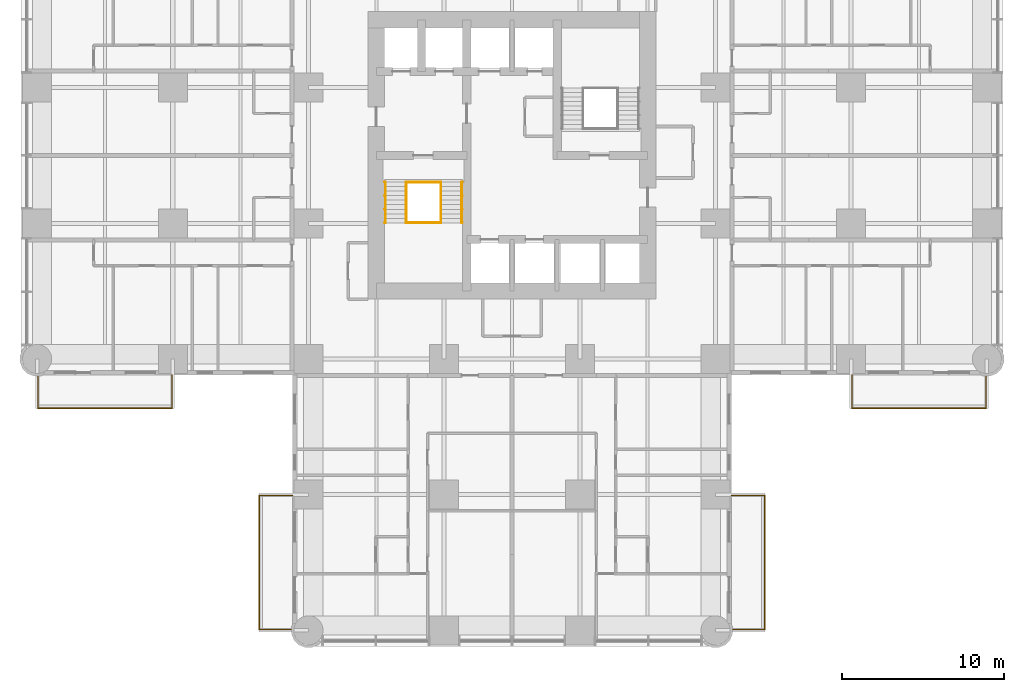
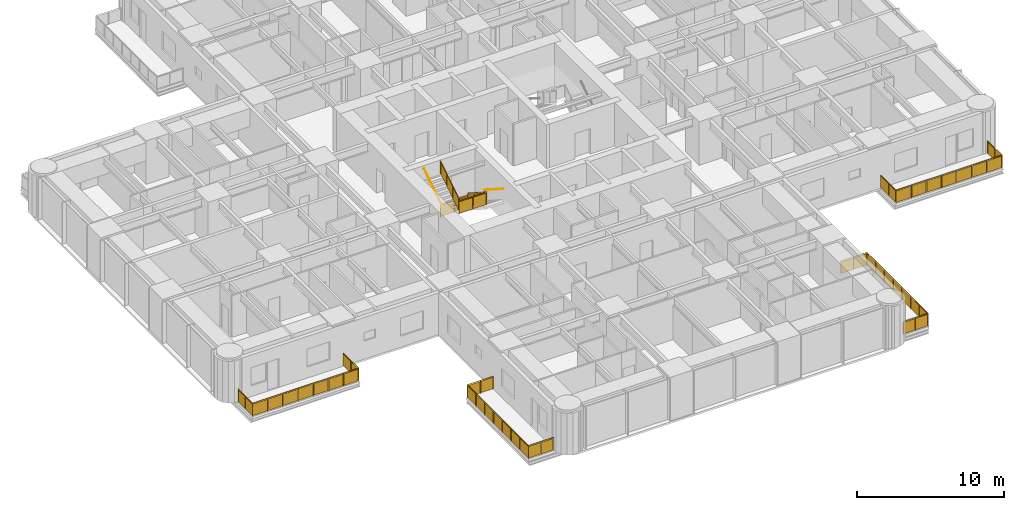
# One storey, part 16 of 17: 10 railings.
"""IFC4 building model written with IfcOpenShell, lengths in metres."""

import ifcopenshell
import ifcopenshell.guid

model = None  # the IFC model being written
_history = None  # IfcOwnerHistory: only IFC2X3 demands one
_inside = {}  # id of a spatial element -> (the spatial element, [elements in it])
_under = {}  # id of a project, library or spatial element -> (it, [spatial elements below it])
_declared = {}  # id of a project -> (the project, [libraries it declares])
_typed = {}  # id of a type object -> (the type object, [elements of that type])
_made_of = {}  # id of a material, layer set ... -> (it, [elements and type objects made of it])


def new_model(schema):
    """Start an empty IFC model of exactly this schema.

    Asked for "IFC4X3", IfcOpenShell would pick the latest addendum, in which some entities
    have other attributes; the version numbers below select the first issue.
    IFC2X3 requires an IfcOwnerHistory on every rooted entity: one is made here for all.
    """
    global model, _history
    if schema == "IFC4X3":
        model = ifcopenshell.file(schema_version=(4, 3, 0, 0))
    else:
        model = ifcopenshell.file(schema=schema)
    _inside.clear()
    _under.clear()
    _declared.clear()
    _typed.clear()
    _made_of.clear()
    _history = None
    if model.schema == "IFC2X3":
        org = make("IfcOrganization", Name="unknown")
        user = make(
            "IfcPersonAndOrganization",
            ThePerson=make("IfcPerson", FamilyName="unknown"),
            TheOrganization=org,
        )
        app = make(
            "IfcApplication",
            ApplicationDeveloper=org,
            Version="unknown",
            ApplicationFullName="unknown",
            ApplicationIdentifier="unknown",
        )
        _history = make(
            "IfcOwnerHistory",
            OwningUser=user,
            OwningApplication=app,
            ChangeAction="ADDED",
            CreationDate=0,
        )
    return model


def make(cls, **values):
    """One entity of the class cls with the attributes given. An attribute that is None is left unset."""
    return model.create_entity(
        cls, **{name: value for name, value in values.items() if value is not None}
    )


def rooted(cls, **values):
    """An entity with a GlobalId (a new one), such as an element, a storey or a relation."""
    return make(cls, GlobalId=ifcopenshell.guid.new(), OwnerHistory=_history, **values)


def si_unit(unit_type, name, prefix=None):
    """IfcSIUnit, for example si_unit("LENGTHUNIT", "METRE", prefix="MILLI")."""
    return make("IfcSIUnit", UnitType=unit_type, Prefix=prefix, Name=name)


def assignment(units):
    """IfcUnitAssignment: the units of a project."""
    return None if units is None else make("IfcUnitAssignment", Units=units)


def point(xyz):
    """IfcCartesianPoint."""
    return None if xyz is None else make("IfcCartesianPoint", Coordinates=xyz)


def direction(xyz):
    """IfcDirection."""
    return None if xyz is None else make("IfcDirection", DirectionRatios=xyz)


def frame(location, z_axis=None, x_axis=None):
    """IfcAxis2Placement3D, a coordinate frame: its origin and axes. An axis left out is left unset."""
    return make(
        "IfcAxis2Placement3D",
        Location=point(location),
        Axis=direction(z_axis),
        RefDirection=direction(x_axis),
    )


def frame_2d(location, x_axis=None):
    """IfcAxis2Placement2D, a coordinate frame in the plane: its origin and x axis."""
    return make(
        "IfcAxis2Placement2D", Location=point(location), RefDirection=direction(x_axis)
    )


def origin():
    """The frame at (0, 0, 0) with its axes left unset."""
    return frame((0.0, 0.0, 0.0))


def origin_2d():
    """The frame at (0, 0) in the plane with its x axis left unset."""
    return frame_2d((0.0, 0.0))


def place(relative_to, where):
    """IfcLocalPlacement: puts the frame where relative to a parent placement (None: the world)."""
    return make(
        "IfcLocalPlacement", PlacementRelTo=relative_to, RelativePlacement=where
    )


def context(
    kind, dimensions, precision=None, world=None, true_north=None, identifier=None
):
    """IfcGeometricRepresentationContext, for example the 3D "Model" context."""
    return make(
        "IfcGeometricRepresentationContext",
        ContextIdentifier=identifier,
        ContextType=kind,
        CoordinateSpaceDimension=dimensions,
        Precision=precision,
        WorldCoordinateSystem=world,
        TrueNorth=true_north,
    )


def subcontext(parent, identifier, kind, view, scale=None):
    """IfcGeometricRepresentationSubContext, for example "Body" below "Model"."""
    return make(
        "IfcGeometricRepresentationSubContext",
        ContextIdentifier=identifier,
        ContextType=kind,
        ParentContext=parent,
        TargetScale=scale,
        TargetView=view,
    )


def project(units=None, contexts=None):
    """IfcProject with its units and contexts."""
    return rooted(
        "IfcProject",
        Name="project",
        RepresentationContexts=contexts,
        UnitsInContext=assignment(units),
    )


def spatial(cls, under=None, at=None, **own):
    """A site, building, storey or space (cls), placed at a placement, below another one or the project."""
    s = rooted(cls, ObjectPlacement=at, **own)
    if under is not None:
        _under.setdefault(under.id(), (under, []))[1].append(s)
    return s


def polyline(points):
    """IfcPolyline through the points."""
    return make("IfcPolyline", Points=[point(p) for p in points])


def profile(cls, at=None, kind="AREA", **sizes):
    """A parametric profile (cls). Its sizes go by their IFC names, for example OverallWidth=200.0."""
    return make(cls, ProfileType=kind, Position=at, **sizes)


def circle(**sizes):
    """IfcCircleProfileDef."""
    return profile("IfcCircleProfileDef", **sizes)


def outline(outer, holes=None, kind="AREA"):
    """IfcArbitraryClosedProfileDef: a profile drawn as a closed curve; with holes, ...WithVoids."""
    if holes is None:
        return make("IfcArbitraryClosedProfileDef", ProfileType=kind, OuterCurve=outer)
    return make(
        "IfcArbitraryProfileDefWithVoids",
        ProfileType=kind,
        OuterCurve=outer,
        InnerCurves=holes,
    )


def extrude(swept, where, along, depth):
    """IfcExtrudedAreaSolid: the profile swept, set in the frame where, extruded along a direction by depth."""
    return make(
        "IfcExtrudedAreaSolid",
        SweptArea=swept,
        Position=where,
        ExtrudedDirection=direction(along),
        Depth=depth,
    )


def shape(context_of_items, identifier, shape_type, items):
    """IfcShapeRepresentation: the items that make up one representation, for example the "Body"."""
    return make(
        "IfcShapeRepresentation",
        ContextOfItems=context_of_items,
        RepresentationIdentifier=identifier,
        RepresentationType=shape_type,
        Items=items,
    )


def material(Name=None, Category=None):
    """IfcMaterial."""
    return make("IfcMaterial", Name=Name, Category=Category)


def constituent(of_material, Name=None, Category=None, fraction=None):
    """IfcMaterialConstituent: one of the materials an element consists of."""
    return make(
        "IfcMaterialConstituent",
        Name=Name,
        Material=of_material,
        Fraction=fraction,
        Category=Category,
    )


def constituent_set(constituents=None, Name=None):
    """IfcMaterialConstituentSet."""
    return make(
        "IfcMaterialConstituentSet", Name=Name, MaterialConstituents=constituents
    )


def made_of(thing, what):
    """Note that an element or type object is made of a material, layer set ...; save() writes the relation."""
    if what is not None:
        _made_of.setdefault(what.id(), (what, []))[1].append(thing)
    return thing


def type_object(cls, material=None, **own):
    """A type object (cls), such as IfcWallType, which elements share."""
    return made_of(rooted(cls, **own), material)


def element(
    cls,
    number,
    at=None,
    inside=None,
    cuts=None,
    type_object=None,
    material=None,
    context=None,
    identifier="Body",
    shape_type=None,
    held_by="IfcProductDefinitionShape",
    body=None,
    shapes=None,
    **own,
):
    """One element of the class cls, such as IfcWall. Its Tag is "e" and its number.

    at: its placement. inside: the storey or other place that contains it. cuts: it is an
    opening in that element (IfcRelVoidsElement). A single representation is given by context,
    identifier, shape_type and body (its items); several are given by shapes. held_by: the class
    of the entity that holds the representations. save() writes the other relations.
    """
    e = rooted(cls, Tag="e%d" % number, ObjectPlacement=at, **own)
    if body is not None:
        shapes = [shape(context, identifier, shape_type, body)]
    if shapes is not None:
        e.Representation = make(held_by, Representations=shapes)
    if inside is not None:
        _inside.setdefault(inside.id(), (inside, []))[1].append(e)
    if cuts is not None:
        rooted(
            "IfcRelVoidsElement", RelatingBuildingElement=cuts, RelatedOpeningElement=e
        )
    if type_object is not None:
        _typed.setdefault(type_object.id(), (type_object, []))[1].append(e)
    return made_of(e, material)


def aggregate(whole, parts):
    """IfcRelAggregates: a whole, such as a stair, and the parts it consists of."""
    return rooted("IfcRelAggregates", RelatingObject=whole, RelatedObjects=parts)


def save(model, path):
    """Write the relations noted so far, then the file.

    IfcRelAggregates (storeys below a building ...), IfcRelContainedInSpatialStructure (elements
    in a storey), IfcRelDefinesByType, IfcRelAssociatesMaterial and IfcRelDeclares: one each for
    every whole, place, type object, material and project.
    """
    for whole, parts in _under.values():
        aggregate(whole, parts)
    for where, things in _inside.values():
        rooted(
            "IfcRelContainedInSpatialStructure",
            RelatedElements=things,
            RelatingStructure=where,
        )
    for kind, things in _typed.values():
        rooted("IfcRelDefinesByType", RelatedObjects=things, RelatingType=kind)
    for what, things in _made_of.values():
        rooted("IfcRelAssociatesMaterial", RelatedObjects=things, RelatingMaterial=what)
    for by, libraries in _declared.values():
        rooted("IfcRelDeclares", RelatingContext=by, RelatedDefinitions=libraries)
    model.write(path)


model = new_model("IFC4")

# Units and contexts
model_context = context("Model", 3, precision=1e-05, world=origin(), true_north=direction((0.0, 1.0)))
body_context = subcontext(model_context, "Body", "Model", "MODEL_VIEW")
ifc_project = project(units=[si_unit("LENGTHUNIT", "METRE"), si_unit("AREAUNIT", "SQUARE_METRE"), si_unit("VOLUMEUNIT", "CUBIC_METRE"), si_unit("PLANEANGLEUNIT", "RADIAN"), si_unit("MASSUNIT", "GRAM", prefix="KILO")], contexts=[model_context])

# Site, building, storey
site_placement = place(None, origin())
site = spatial("IfcSite", under=ifc_project, at=site_placement, CompositionType="ELEMENT")
building_placement = place(site_placement, origin())
building = spatial("IfcBuilding", under=site, at=building_placement, Name="Torre Alcanfor", CompositionType="ELEMENT")
storey_placement = place(building_placement, frame((0.0, 0.0, 88.5)))
storey = spatial("IfcBuildingStorey", under=building, at=storey_placement, Name="L22", CompositionType="ELEMENT", Elevation=88.5)

# Railings
ifc_material_1 = material(Name="Laminated safety glass", Category="glass")
ifc_constituent_1 = constituent(ifc_material_1, Name="Infill")
ifc_material_2 = material(Name="Stainless steel ASTM A554 Grade MT 316L tube", Category="steel")
ifc_constituent_2 = constituent(ifc_material_2, Name="Posts and rail")
ifc_constituent_set = constituent_set(constituents=[ifc_constituent_1, ifc_constituent_2], Name="Balcony guard glass 1100")
railing_type_1 = type_object("IfcRailingType", Name="Balcony guard glass 1100", PredefinedType="BALUSTRADE", material=ifc_constituent_set)
railing_1_placement = place(storey_placement, frame((50.449951171875, 15.800048828125, 0.0)))
element("IfcRailing", 1, at=railing_1_placement, inside=storey, type_object=railing_type_1, Name="Balcony guard L22-E2", PredefinedType="BALUSTRADE", context=body_context, shape_type="SweptSolid", body=[
    extrude(circle(Radius=0.02392578125, at=origin_2d()), frame((0.0, 0.0, 1.076171875), z_axis=(0.0, -1.0, 0.0), x_axis=(1.0, 0.0, 0.0)), (0.0, 0.0, 1.0), 2.050048828125),
    extrude(circle(Radius=0.02392578125, at=origin_2d()), frame((0.0, -2.050048828125, 1.076171875), z_axis=(1.0, 0.0, 0.0), x_axis=(0.0, 1.0, 0.0)), (0.0, 0.0, 1.0), 8.300048828125),
    extrude(circle(Radius=0.02392578125, at=origin_2d()), frame((8.300048828125, -2.050048828125, 1.076171875), z_axis=(0.0, 1.0, 0.0), x_axis=(-1.0, 0.0, 0.0)), (0.0, 0.0, 1.0), 1.968994140625),
    extrude(circle(Radius=0.02099609375, at=origin_2d()), origin(), (0.0, 0.0, 1.0), 1.052001953125),
    extrude(circle(Radius=0.02099609375, at=origin_2d()), frame((0.0, -1.02490234375, 0.0)), (0.0, 0.0, 1.0), 1.052001953125),
    extrude(circle(Radius=0.02099609375, at=origin_2d()), frame((0.0, -2.050048828125, 0.0)), (0.0, 0.0, 1.0), 1.052001953125),
    extrude(circle(Radius=0.02099609375, at=origin_2d()), frame((1.185791015625, -2.050048828125, 0.0)), (0.0, 0.0, 1.0), 1.052001953125),
    extrude(circle(Radius=0.02099609375, at=origin_2d()), frame((2.371337890625, -2.050048828125, 0.0)), (0.0, 0.0, 1.0), 1.052001953125),
    extrude(circle(Radius=0.02099609375, at=origin_2d()), frame((3.55712890625, -2.050048828125, 0.0)), (0.0, 0.0, 1.0), 1.052001953125),
    extrude(circle(Radius=0.02099609375, at=origin_2d()), frame((4.742919921875, -2.050048828125, 0.0)), (0.0, 0.0, 1.0), 1.052001953125),
    extrude(circle(Radius=0.02099609375, at=origin_2d()), frame((5.9287109375, -2.050048828125, 0.0)), (0.0, 0.0, 1.0), 1.052001953125),
    extrude(circle(Radius=0.02099609375, at=origin_2d()), frame((7.1142578125, -2.050048828125, 0.0)), (0.0, 0.0, 1.0), 1.052001953125),
    extrude(circle(Radius=0.02099609375, at=origin_2d()), frame((8.300048828125, -2.050048828125, 0.0)), (0.0, 0.0, 1.0), 1.052001953125),
    extrude(circle(Radius=0.02099609375, at=origin_2d()), frame((8.300048828125, -1.0654296875, 0.0)), (0.0, 0.0, 1.0), 1.052001953125),
    extrude(circle(Radius=0.02099609375, at=origin_2d()), frame((8.300048828125, -0.0810546875, 0.0)), (0.0, 0.0, 1.0), 1.052001953125),
    extrude(outline(polyline([(0.041015625, 0.050048828125), (0.984130859375, 0.050048828125), (0.984130859375, 1.001953125), (0.041015625, 1.001953125), (0.041015625, 0.050048828125)])), frame((0.005859375, 0.0, 0.0), z_axis=(-1.0, 0.0, 0.0), x_axis=(0.0, -1.0, 0.0)), (0.0, 0.0, 1.0), 0.011962890625),
    extrude(outline(polyline([(1.06591796875, 0.050048828125), (2.009033203125, 0.050048828125), (2.009033203125, 1.001953125), (1.06591796875, 1.001953125), (1.06591796875, 0.050048828125)])), frame((0.005859375, 0.0, 0.0), z_axis=(-1.0, 0.0, 0.0), x_axis=(0.0, -1.0, 0.0)), (0.0, 0.0, 1.0), 0.011962890625),
    extrude(outline(polyline([(0.041015625, 0.050048828125), (1.144775390625, 0.050048828125), (1.144775390625, 1.001953125), (0.041015625, 1.001953125), (0.041015625, 0.050048828125)])), frame((0.0, -2.0439453125, 0.0), z_axis=(0.0, -1.0, 0.0), x_axis=(1.0, 0.0, 0.0)), (0.0, 0.0, 1.0), 0.011962890625),
    extrude(outline(polyline([(1.226806640625, 0.050048828125), (2.330322265625, 0.050048828125), (2.330322265625, 1.001953125), (1.226806640625, 1.001953125), (1.226806640625, 0.050048828125)])), frame((0.0, -2.0439453125, 0.0), z_axis=(0.0, -1.0, 0.0), x_axis=(1.0, 0.0, 0.0)), (0.0, 0.0, 1.0), 0.011962890625),
    extrude(outline(polyline([(2.412353515625, 0.050048828125), (3.51611328125, 0.050048828125), (3.51611328125, 1.001953125), (2.412353515625, 1.001953125), (2.412353515625, 0.050048828125)])), frame((0.0, -2.0439453125, 0.0), z_axis=(0.0, -1.0, 0.0), x_axis=(1.0, 0.0, 0.0)), (0.0, 0.0, 1.0), 0.011962890625),
    extrude(outline(polyline([(3.59814453125, 0.050048828125), (4.701904296875, 0.050048828125), (4.701904296875, 1.001953125), (3.59814453125, 1.001953125), (3.59814453125, 0.050048828125)])), frame((0.0, -2.0439453125, 0.0), z_axis=(0.0, -1.0, 0.0), x_axis=(1.0, 0.0, 0.0)), (0.0, 0.0, 1.0), 0.011962890625),
    extrude(outline(polyline([(4.783935546875, 0.050048828125), (5.8876953125, 0.050048828125), (5.8876953125, 1.001953125), (4.783935546875, 1.001953125), (4.783935546875, 0.050048828125)])), frame((0.0, -2.0439453125, 0.0), z_axis=(0.0, -1.0, 0.0), x_axis=(1.0, 0.0, 0.0)), (0.0, 0.0, 1.0), 0.011962890625),
    extrude(outline(polyline([(5.9697265625, 0.050048828125), (7.0732421875, 0.050048828125), (7.0732421875, 1.001953125), (5.9697265625, 1.001953125), (5.9697265625, 0.050048828125)])), frame((0.0, -2.0439453125, 0.0), z_axis=(0.0, -1.0, 0.0), x_axis=(1.0, 0.0, 0.0)), (0.0, 0.0, 1.0), 0.011962890625),
    extrude(outline(polyline([(7.1552734375, 0.050048828125), (8.259033203125, 0.050048828125), (8.259033203125, 1.001953125), (7.1552734375, 1.001953125), (7.1552734375, 0.050048828125)])), frame((0.0, -2.0439453125, 0.0), z_axis=(0.0, -1.0, 0.0), x_axis=(1.0, 0.0, 0.0)), (0.0, 0.0, 1.0), 0.011962890625),
    extrude(outline(polyline([(0.041015625, 0.050048828125), (0.943603515625, 0.050048828125), (0.943603515625, 1.001953125), (0.041015625, 1.001953125), (0.041015625, 0.050048828125)])), frame((8.2939453125, -2.050048828125, 0.0), z_axis=(1.0, 0.0, 0.0), x_axis=(0.0, 1.0, 0.0)), (0.0, 0.0, 1.0), 0.011962890625),
    extrude(outline(polyline([(1.025390625, 0.050048828125), (1.927978515625, 0.050048828125), (1.927978515625, 1.001953125), (1.025390625, 1.001953125), (1.025390625, 0.050048828125)])), frame((8.2939453125, -2.050048828125, 0.0), z_axis=(1.0, 0.0, 0.0), x_axis=(0.0, 1.0, 0.0)), (0.0, 0.0, 1.0), 0.011962890625),
])
railing_2_placement = place(storey_placement, frame((43.0, 8.35009765625, 0.0)))
element("IfcRailing", 2, at=railing_2_placement, inside=storey, type_object=railing_type_1, Name="Balcony guard L22-S1", PredefinedType="BALUSTRADE", context=body_context, shape_type="SweptSolid", body=[
    extrude(circle(Radius=0.02392578125, at=origin_2d()), frame((0.0, 0.0, 1.076171875), z_axis=(1.0, 0.0, 0.0), x_axis=(0.0, 1.0, 0.0)), (0.0, 0.0, 1.0), 2.050048828125),
    extrude(circle(Radius=0.02392578125, at=origin_2d()), frame((2.050048828125, 0.0, 1.076171875), z_axis=(0.0, -1.0, 0.0), x_axis=(1.0, 0.0, 0.0)), (0.0, 0.0, 1.0), 8.300048828125),
    extrude(circle(Radius=0.02392578125, at=origin_2d()), frame((2.050048828125, -8.300048828125, 1.076171875), z_axis=(-1.0, 0.0, 0.0), x_axis=(0.0, -1.0, 0.0)), (0.0, 0.0, 1.0), 1.968994140625),
    extrude(circle(Radius=0.02099609375, at=origin_2d()), origin(), (0.0, 0.0, 1.0), 1.052001953125),
    extrude(circle(Radius=0.02099609375, at=origin_2d()), frame((1.02490234375, 0.0, 0.0)), (0.0, 0.0, 1.0), 1.052001953125),
    extrude(circle(Radius=0.02099609375, at=origin_2d()), frame((2.050048828125, 0.0, 0.0)), (0.0, 0.0, 1.0), 1.052001953125),
    extrude(circle(Radius=0.02099609375, at=origin_2d()), frame((2.050048828125, -1.185791015625, 0.0)), (0.0, 0.0, 1.0), 1.052001953125),
    extrude(circle(Radius=0.02099609375, at=origin_2d()), frame((2.050048828125, -2.371337890625, 0.0)), (0.0, 0.0, 1.0), 1.052001953125),
    extrude(circle(Radius=0.02099609375, at=origin_2d()), frame((2.050048828125, -3.55712890625, 0.0)), (0.0, 0.0, 1.0), 1.052001953125),
    extrude(circle(Radius=0.02099609375, at=origin_2d()), frame((2.050048828125, -4.742919921875, 0.0)), (0.0, 0.0, 1.0), 1.052001953125),
    extrude(circle(Radius=0.02099609375, at=origin_2d()), frame((2.050048828125, -5.9287109375, 0.0)), (0.0, 0.0, 1.0), 1.052001953125),
    extrude(circle(Radius=0.02099609375, at=origin_2d()), frame((2.050048828125, -7.1142578125, 0.0)), (0.0, 0.0, 1.0), 1.052001953125),
    extrude(circle(Radius=0.02099609375, at=origin_2d()), frame((2.050048828125, -8.300048828125, 0.0)), (0.0, 0.0, 1.0), 1.052001953125),
    extrude(circle(Radius=0.02099609375, at=origin_2d()), frame((1.0654296875, -8.300048828125, 0.0)), (0.0, 0.0, 1.0), 1.052001953125),
    extrude(circle(Radius=0.02099609375, at=origin_2d()), frame((0.0810546875, -8.300048828125, 0.0)), (0.0, 0.0, 1.0), 1.052001953125),
    extrude(outline(polyline([(0.041015625, 0.050048828125), (0.984130859375, 0.050048828125), (0.984130859375, 1.001953125), (0.041015625, 1.001953125), (0.041015625, 0.050048828125)])), frame((0.0, 0.005859375, 0.0), z_axis=(0.0, -1.0, 0.0), x_axis=(1.0, 0.0, 0.0)), (0.0, 0.0, 1.0), 0.011962890625),
    extrude(outline(polyline([(1.06591796875, 0.050048828125), (2.009033203125, 0.050048828125), (2.009033203125, 1.001953125), (1.06591796875, 1.001953125), (1.06591796875, 0.050048828125)])), frame((0.0, 0.005859375, 0.0), z_axis=(0.0, -1.0, 0.0), x_axis=(1.0, 0.0, 0.0)), (0.0, 0.0, 1.0), 0.011962890625),
    extrude(outline(polyline([(0.041015625, 0.050048828125), (1.144775390625, 0.050048828125), (1.144775390625, 1.001953125), (0.041015625, 1.001953125), (0.041015625, 0.050048828125)])), frame((2.05615234375, 0.0, 0.0), z_axis=(-1.0, 0.0, 0.0), x_axis=(0.0, -1.0, 0.0)), (0.0, 0.0, 1.0), 0.011962890625),
    extrude(outline(polyline([(1.226806640625, 0.050048828125), (2.330322265625, 0.050048828125), (2.330322265625, 1.001953125), (1.226806640625, 1.001953125), (1.226806640625, 0.050048828125)])), frame((2.05615234375, 0.0, 0.0), z_axis=(-1.0, 0.0, 0.0), x_axis=(0.0, -1.0, 0.0)), (0.0, 0.0, 1.0), 0.011962890625),
    extrude(outline(polyline([(2.412353515625, 0.050048828125), (3.51611328125, 0.050048828125), (3.51611328125, 1.001953125), (2.412353515625, 1.001953125), (2.412353515625, 0.050048828125)])), frame((2.05615234375, 0.0, 0.0), z_axis=(-1.0, 0.0, 0.0), x_axis=(0.0, -1.0, 0.0)), (0.0, 0.0, 1.0), 0.011962890625),
    extrude(outline(polyline([(3.59814453125, 0.050048828125), (4.701904296875, 0.050048828125), (4.701904296875, 1.001953125), (3.59814453125, 1.001953125), (3.59814453125, 0.050048828125)])), frame((2.05615234375, 0.0, 0.0), z_axis=(-1.0, 0.0, 0.0), x_axis=(0.0, -1.0, 0.0)), (0.0, 0.0, 1.0), 0.011962890625),
    extrude(outline(polyline([(4.783935546875, 0.050048828125), (5.8876953125, 0.050048828125), (5.8876953125, 1.001953125), (4.783935546875, 1.001953125), (4.783935546875, 0.050048828125)])), frame((2.05615234375, 0.0, 0.0), z_axis=(-1.0, 0.0, 0.0), x_axis=(0.0, -1.0, 0.0)), (0.0, 0.0, 1.0), 0.011962890625),
    extrude(outline(polyline([(5.9697265625, 0.050048828125), (7.0732421875, 0.050048828125), (7.0732421875, 1.001953125), (5.9697265625, 1.001953125), (5.9697265625, 0.050048828125)])), frame((2.05615234375, 0.0, 0.0), z_axis=(-1.0, 0.0, 0.0), x_axis=(0.0, -1.0, 0.0)), (0.0, 0.0, 1.0), 0.011962890625),
    extrude(outline(polyline([(7.1552734375, 0.050048828125), (8.259033203125, 0.050048828125), (8.259033203125, 1.001953125), (7.1552734375, 1.001953125), (7.1552734375, 0.050048828125)])), frame((2.05615234375, 0.0, 0.0), z_axis=(-1.0, 0.0, 0.0), x_axis=(0.0, -1.0, 0.0)), (0.0, 0.0, 1.0), 0.011962890625),
    extrude(outline(polyline([(0.041015625, 0.050048828125), (0.943603515625, 0.050048828125), (0.943603515625, 1.001953125), (0.041015625, 1.001953125), (0.041015625, 0.050048828125)])), frame((2.050048828125, -8.30615234375, 0.0), z_axis=(0.0, 1.0, 0.0), x_axis=(-1.0, 0.0, 0.0)), (0.0, 0.0, 1.0), 0.011962890625),
    extrude(outline(polyline([(1.025390625, 0.050048828125), (1.927978515625, 0.050048828125), (1.927978515625, 1.001953125), (1.025390625, 1.001953125), (1.025390625, 0.050048828125)])), frame((2.050048828125, -8.30615234375, 0.0), z_axis=(0.0, 1.0, 0.0), x_axis=(-1.0, 0.0, 0.0)), (0.0, 0.0, 1.0), 0.011962890625),
])
railing_3_placement = place(storey_placement, frame((15.800048828125, 8.35009765625, 0.0)))
element("IfcRailing", 3, at=railing_3_placement, inside=storey, type_object=railing_type_1, Name="Balcony guard L22-S2", PredefinedType="BALUSTRADE", context=body_context, shape_type="SweptSolid", body=[
    extrude(circle(Radius=0.02392578125, at=origin_2d()), frame((0.0, 0.0, 1.076171875), z_axis=(-1.0, 0.0, 0.0), x_axis=(0.0, -1.0, 0.0)), (0.0, 0.0, 1.0), 2.050048828125),
    extrude(circle(Radius=0.02392578125, at=origin_2d()), frame((-2.050048828125, 0.0, 1.076171875), z_axis=(0.0, -1.0, 0.0), x_axis=(1.0, 0.0, 0.0)), (0.0, 0.0, 1.0), 8.300048828125),
    extrude(circle(Radius=0.02392578125, at=origin_2d()), frame((-2.050048828125, -8.300048828125, 1.076171875), z_axis=(1.0, 0.0, 0.0), x_axis=(0.0, 1.0, 0.0)), (0.0, 0.0, 1.0), 1.968994140625),
    extrude(circle(Radius=0.02099609375, at=origin_2d()), origin(), (0.0, 0.0, 1.0), 1.052001953125),
    extrude(circle(Radius=0.02099609375, at=origin_2d()), frame((-1.02490234375, 0.0, 0.0)), (0.0, 0.0, 1.0), 1.052001953125),
    extrude(circle(Radius=0.02099609375, at=origin_2d()), frame((-2.050048828125, 0.0, 0.0)), (0.0, 0.0, 1.0), 1.052001953125),
    extrude(circle(Radius=0.02099609375, at=origin_2d()), frame((-2.050048828125, -1.185791015625, 0.0)), (0.0, 0.0, 1.0), 1.052001953125),
    extrude(circle(Radius=0.02099609375, at=origin_2d()), frame((-2.050048828125, -2.371337890625, 0.0)), (0.0, 0.0, 1.0), 1.052001953125),
    extrude(circle(Radius=0.02099609375, at=origin_2d()), frame((-2.050048828125, -3.55712890625, 0.0)), (0.0, 0.0, 1.0), 1.052001953125),
    extrude(circle(Radius=0.02099609375, at=origin_2d()), frame((-2.050048828125, -4.742919921875, 0.0)), (0.0, 0.0, 1.0), 1.052001953125),
    extrude(circle(Radius=0.02099609375, at=origin_2d()), frame((-2.050048828125, -5.9287109375, 0.0)), (0.0, 0.0, 1.0), 1.052001953125),
    extrude(circle(Radius=0.02099609375, at=origin_2d()), frame((-2.050048828125, -7.1142578125, 0.0)), (0.0, 0.0, 1.0), 1.052001953125),
    extrude(circle(Radius=0.02099609375, at=origin_2d()), frame((-2.050048828125, -8.300048828125, 0.0)), (0.0, 0.0, 1.0), 1.052001953125),
    extrude(circle(Radius=0.02099609375, at=origin_2d()), frame((-1.0654296875, -8.300048828125, 0.0)), (0.0, 0.0, 1.0), 1.052001953125),
    extrude(circle(Radius=0.02099609375, at=origin_2d()), frame((-0.0810546875, -8.300048828125, 0.0)), (0.0, 0.0, 1.0), 1.052001953125),
    extrude(outline(polyline([(0.041015625, 0.050048828125), (0.984130859375, 0.050048828125), (0.984130859375, 1.001953125), (0.041015625, 1.001953125), (0.041015625, 0.050048828125)])), frame((0.0, -0.005859375, 0.0), z_axis=(0.0, 1.0, 0.0), x_axis=(-1.0, 0.0, 0.0)), (0.0, 0.0, 1.0), 0.011962890625),
    extrude(outline(polyline([(1.06591796875, 0.050048828125), (2.009033203125, 0.050048828125), (2.009033203125, 1.001953125), (1.06591796875, 1.001953125), (1.06591796875, 0.050048828125)])), frame((0.0, -0.005859375, 0.0), z_axis=(0.0, 1.0, 0.0), x_axis=(-1.0, 0.0, 0.0)), (0.0, 0.0, 1.0), 0.011962890625),
    extrude(outline(polyline([(0.041015625, 0.050048828125), (1.144775390625, 0.050048828125), (1.144775390625, 1.001953125), (0.041015625, 1.001953125), (0.041015625, 0.050048828125)])), frame((-2.0439453125, 0.0, 0.0), z_axis=(-1.0, 0.0, 0.0), x_axis=(0.0, -1.0, 0.0)), (0.0, 0.0, 1.0), 0.011962890625),
    extrude(outline(polyline([(1.226806640625, 0.050048828125), (2.330322265625, 0.050048828125), (2.330322265625, 1.001953125), (1.226806640625, 1.001953125), (1.226806640625, 0.050048828125)])), frame((-2.0439453125, 0.0, 0.0), z_axis=(-1.0, 0.0, 0.0), x_axis=(0.0, -1.0, 0.0)), (0.0, 0.0, 1.0), 0.011962890625),
    extrude(outline(polyline([(2.412353515625, 0.050048828125), (3.51611328125, 0.050048828125), (3.51611328125, 1.001953125), (2.412353515625, 1.001953125), (2.412353515625, 0.050048828125)])), frame((-2.0439453125, 0.0, 0.0), z_axis=(-1.0, 0.0, 0.0), x_axis=(0.0, -1.0, 0.0)), (0.0, 0.0, 1.0), 0.011962890625),
    extrude(outline(polyline([(3.59814453125, 0.050048828125), (4.701904296875, 0.050048828125), (4.701904296875, 1.001953125), (3.59814453125, 1.001953125), (3.59814453125, 0.050048828125)])), frame((-2.0439453125, 0.0, 0.0), z_axis=(-1.0, 0.0, 0.0), x_axis=(0.0, -1.0, 0.0)), (0.0, 0.0, 1.0), 0.011962890625),
    extrude(outline(polyline([(4.783935546875, 0.050048828125), (5.8876953125, 0.050048828125), (5.8876953125, 1.001953125), (4.783935546875, 1.001953125), (4.783935546875, 0.050048828125)])), frame((-2.0439453125, 0.0, 0.0), z_axis=(-1.0, 0.0, 0.0), x_axis=(0.0, -1.0, 0.0)), (0.0, 0.0, 1.0), 0.011962890625),
    extrude(outline(polyline([(5.9697265625, 0.050048828125), (7.0732421875, 0.050048828125), (7.0732421875, 1.001953125), (5.9697265625, 1.001953125), (5.9697265625, 0.050048828125)])), frame((-2.0439453125, 0.0, 0.0), z_axis=(-1.0, 0.0, 0.0), x_axis=(0.0, -1.0, 0.0)), (0.0, 0.0, 1.0), 0.011962890625),
    extrude(outline(polyline([(7.1552734375, 0.050048828125), (8.259033203125, 0.050048828125), (8.259033203125, 1.001953125), (7.1552734375, 1.001953125), (7.1552734375, 0.050048828125)])), frame((-2.0439453125, 0.0, 0.0), z_axis=(-1.0, 0.0, 0.0), x_axis=(0.0, -1.0, 0.0)), (0.0, 0.0, 1.0), 0.011962890625),
    extrude(outline(polyline([(0.041015625, 0.050048828125), (0.943603515625, 0.050048828125), (0.943603515625, 1.001953125), (0.041015625, 1.001953125), (0.041015625, 0.050048828125)])), frame((-2.050048828125, -8.2939453125, 0.0), z_axis=(0.0, -1.0, 0.0), x_axis=(1.0, 0.0, 0.0)), (0.0, 0.0, 1.0), 0.011962890625),
    extrude(outline(polyline([(1.025390625, 0.050048828125), (1.927978515625, 0.050048828125), (1.927978515625, 1.001953125), (1.025390625, 1.001953125), (1.025390625, 0.050048828125)])), frame((-2.050048828125, -8.2939453125, 0.0), z_axis=(0.0, -1.0, 0.0), x_axis=(1.0, 0.0, 0.0)), (0.0, 0.0, 1.0), 0.011962890625),
])
railing_4_placement = place(storey_placement, frame((8.35009765625, 15.800048828125, 0.0)))
element("IfcRailing", 4, at=railing_4_placement, inside=storey, type_object=railing_type_1, Name="Balcony guard L22-W1", PredefinedType="BALUSTRADE", context=body_context, shape_type="SweptSolid", body=[
    extrude(circle(Radius=0.02392578125, at=origin_2d()), frame((0.0, 0.0, 1.076171875), z_axis=(0.0, -1.0, 0.0), x_axis=(1.0, 0.0, 0.0)), (0.0, 0.0, 1.0), 2.050048828125),
    extrude(circle(Radius=0.02392578125, at=origin_2d()), frame((0.0, -2.050048828125, 1.076171875), z_axis=(-1.0, 0.0, 0.0), x_axis=(0.0, -1.0, 0.0)), (0.0, 0.0, 1.0), 8.300048828125),
    extrude(circle(Radius=0.02392578125, at=origin_2d()), frame((-8.300048828125, -2.050048828125, 1.076171875), z_axis=(0.0, 1.0, 0.0), x_axis=(-1.0, 0.0, 0.0)), (0.0, 0.0, 1.0), 1.968994140625),
    extrude(circle(Radius=0.02099609375, at=origin_2d()), origin(), (0.0, 0.0, 1.0), 1.052001953125),
    extrude(circle(Radius=0.02099609375, at=origin_2d()), frame((0.0, -1.02490234375, 0.0)), (0.0, 0.0, 1.0), 1.052001953125),
    extrude(circle(Radius=0.02099609375, at=origin_2d()), frame((0.0, -2.050048828125, 0.0)), (0.0, 0.0, 1.0), 1.052001953125),
    extrude(circle(Radius=0.02099609375, at=origin_2d()), frame((-1.185791015625, -2.050048828125, 0.0)), (0.0, 0.0, 1.0), 1.052001953125),
    extrude(circle(Radius=0.02099609375, at=origin_2d()), frame((-2.371337890625, -2.050048828125, 0.0)), (0.0, 0.0, 1.0), 1.052001953125),
    extrude(circle(Radius=0.02099609375, at=origin_2d()), frame((-3.55712890625, -2.050048828125, 0.0)), (0.0, 0.0, 1.0), 1.052001953125),
    extrude(circle(Radius=0.02099609375, at=origin_2d()), frame((-4.742919921875, -2.050048828125, 0.0)), (0.0, 0.0, 1.0), 1.052001953125),
    extrude(circle(Radius=0.02099609375, at=origin_2d()), frame((-5.9287109375, -2.050048828125, 0.0)), (0.0, 0.0, 1.0), 1.052001953125),
    extrude(circle(Radius=0.02099609375, at=origin_2d()), frame((-7.1142578125, -2.050048828125, 0.0)), (0.0, 0.0, 1.0), 1.052001953125),
    extrude(circle(Radius=0.02099609375, at=origin_2d()), frame((-8.300048828125, -2.050048828125, 0.0)), (0.0, 0.0, 1.0), 1.052001953125),
    extrude(circle(Radius=0.02099609375, at=origin_2d()), frame((-8.300048828125, -1.0654296875, 0.0)), (0.0, 0.0, 1.0), 1.052001953125),
    extrude(circle(Radius=0.02099609375, at=origin_2d()), frame((-8.300048828125, -0.0810546875, 0.0)), (0.0, 0.0, 1.0), 1.052001953125),
    extrude(outline(polyline([(0.041015625, 0.050048828125), (0.984130859375, 0.050048828125), (0.984130859375, 1.001953125), (0.041015625, 1.001953125), (0.041015625, 0.050048828125)])), frame((0.005859375, 0.0, 0.0), z_axis=(-1.0, 0.0, 0.0), x_axis=(0.0, -1.0, 0.0)), (0.0, 0.0, 1.0), 0.011962890625),
    extrude(outline(polyline([(1.06591796875, 0.050048828125), (2.009033203125, 0.050048828125), (2.009033203125, 1.001953125), (1.06591796875, 1.001953125), (1.06591796875, 0.050048828125)])), frame((0.005859375, 0.0, 0.0), z_axis=(-1.0, 0.0, 0.0), x_axis=(0.0, -1.0, 0.0)), (0.0, 0.0, 1.0), 0.011962890625),
    extrude(outline(polyline([(0.041015625, 0.050048828125), (1.144775390625, 0.050048828125), (1.144775390625, 1.001953125), (0.041015625, 1.001953125), (0.041015625, 0.050048828125)])), frame((0.0, -2.05615234375, 0.0), z_axis=(0.0, 1.0, 0.0), x_axis=(-1.0, 0.0, 0.0)), (0.0, 0.0, 1.0), 0.011962890625),
    extrude(outline(polyline([(1.226806640625, 0.050048828125), (2.330322265625, 0.050048828125), (2.330322265625, 1.001953125), (1.226806640625, 1.001953125), (1.226806640625, 0.050048828125)])), frame((0.0, -2.05615234375, 0.0), z_axis=(0.0, 1.0, 0.0), x_axis=(-1.0, 0.0, 0.0)), (0.0, 0.0, 1.0), 0.011962890625),
    extrude(outline(polyline([(2.412353515625, 0.050048828125), (3.51611328125, 0.050048828125), (3.51611328125, 1.001953125), (2.412353515625, 1.001953125), (2.412353515625, 0.050048828125)])), frame((0.0, -2.05615234375, 0.0), z_axis=(0.0, 1.0, 0.0), x_axis=(-1.0, 0.0, 0.0)), (0.0, 0.0, 1.0), 0.011962890625),
    extrude(outline(polyline([(3.59814453125, 0.050048828125), (4.701904296875, 0.050048828125), (4.701904296875, 1.001953125), (3.59814453125, 1.001953125), (3.59814453125, 0.050048828125)])), frame((0.0, -2.05615234375, 0.0), z_axis=(0.0, 1.0, 0.0), x_axis=(-1.0, 0.0, 0.0)), (0.0, 0.0, 1.0), 0.011962890625),
    extrude(outline(polyline([(4.783935546875, 0.050048828125), (5.8876953125, 0.050048828125), (5.8876953125, 1.001953125), (4.783935546875, 1.001953125), (4.783935546875, 0.050048828125)])), frame((0.0, -2.05615234375, 0.0), z_axis=(0.0, 1.0, 0.0), x_axis=(-1.0, 0.0, 0.0)), (0.0, 0.0, 1.0), 0.011962890625),
    extrude(outline(polyline([(5.9697265625, 0.050048828125), (7.0732421875, 0.050048828125), (7.0732421875, 1.001953125), (5.9697265625, 1.001953125), (5.9697265625, 0.050048828125)])), frame((0.0, -2.05615234375, 0.0), z_axis=(0.0, 1.0, 0.0), x_axis=(-1.0, 0.0, 0.0)), (0.0, 0.0, 1.0), 0.011962890625),
    extrude(outline(polyline([(7.1552734375, 0.050048828125), (8.259033203125, 0.050048828125), (8.259033203125, 1.001953125), (7.1552734375, 1.001953125), (7.1552734375, 0.050048828125)])), frame((0.0, -2.05615234375, 0.0), z_axis=(0.0, 1.0, 0.0), x_axis=(-1.0, 0.0, 0.0)), (0.0, 0.0, 1.0), 0.011962890625),
    extrude(outline(polyline([(0.041015625, 0.050048828125), (0.943603515625, 0.050048828125), (0.943603515625, 1.001953125), (0.041015625, 1.001953125), (0.041015625, 0.050048828125)])), frame((-8.30615234375, -2.050048828125, 0.0), z_axis=(1.0, 0.0, 0.0), x_axis=(0.0, 1.0, 0.0)), (0.0, 0.0, 1.0), 0.011962890625),
    extrude(outline(polyline([(1.025390625, 0.050048828125), (1.927978515625, 0.050048828125), (1.927978515625, 1.001953125), (1.025390625, 1.001953125), (1.025390625, 0.050048828125)])), frame((-8.30615234375, -2.050048828125, 0.0), z_axis=(1.0, 0.0, 0.0), x_axis=(0.0, 1.0, 0.0)), (0.0, 0.0, 1.0), 0.011962890625),
])
ifc_material_3 = material(Name="Steel ASTM A500 Grade C hollow sections", Category="steel")
railing_type_2 = type_object("IfcRailingType", Name="Stair guard and handrail 1100", PredefinedType="GUARDRAIL", material=ifc_material_3)
railing_5_placement = place(storey_placement, frame((25.0, 27.75, 0.179931640625)))
element("IfcRailing", 5, at=railing_5_placement, inside=storey, type_object=railing_type_2, Name="Stair guard S1 L22 flight 1", PredefinedType="GUARDRAIL", context=body_context, shape_type="SweptSolid", body=[
    extrude(circle(Radius=0.02392578125, at=origin_2d()), frame((0.0, 0.0, 1.076171875), z_axis=(0.0, -0.841162588446, 0.540782303519), x_axis=(1.0, 0.0, 0.0)), (0.0, 0.0, 1.0), 2.995849609375),
    extrude(circle(Radius=0.02099609375, at=origin_2d()), origin(), (0.0, 0.0, 1.0), 1.052001953125),
    extrude(circle(Radius=0.02099609375, at=origin_2d()), frame((0.0, -0.840087890625, 0.5400390625)), (0.0, 0.0, 1.0), 1.052001953125),
    extrude(circle(Radius=0.02099609375, at=origin_2d()), frame((0.0, -1.679931640625, 1.080078125)), (0.0, 0.0, 1.0), 1.052001953125),
    extrude(circle(Radius=0.02099609375, at=origin_2d()), frame((0.0, -2.52001953125, 1.6201171875)), (0.0, 0.0, 1.0), 1.052001953125),
    extrude(outline(polyline([(0.041015625, 0.076416015625), (0.799072265625, 0.563720703125), (0.799072265625, 1.515625), (0.041015625, 1.0283203125), (0.041015625, 0.076416015625)])), frame((0.005859375, 0.0, 0.0), z_axis=(-1.0, 0.0, 0.0), x_axis=(0.0, -1.0, 0.0)), (0.0, 0.0, 1.0), 0.011962890625),
    extrude(outline(polyline([(0.881103515625, 0.616455078125), (1.638916015625, 1.103759765625), (1.638916015625, 2.0556640625), (0.881103515625, 1.568359375), (0.881103515625, 0.616455078125)])), frame((0.005859375, 0.0, 0.0), z_axis=(-1.0, 0.0, 0.0), x_axis=(0.0, -1.0, 0.0)), (0.0, 0.0, 1.0), 0.011962890625),
    extrude(outline(polyline([(1.720947265625, 1.156494140625), (2.47900390625, 1.643798828125), (2.47900390625, 2.595703125), (1.720947265625, 2.1083984375), (1.720947265625, 1.156494140625)])), frame((0.005859375, 0.0, 0.0), z_axis=(-1.0, 0.0, 0.0), x_axis=(0.0, -1.0, 0.0)), (0.0, 0.0, 1.0), 0.011962890625),
])
railing_6_placement = place(storey_placement, frame((22.85009765625, 25.22998046875, 1.97998046875)))
element("IfcRailing", 6, at=railing_6_placement, inside=storey, type_object=railing_type_2, Name="Stair guard S1 L22 flight 2", PredefinedType="GUARDRAIL", context=body_context, shape_type="SweptSolid", body=[
    extrude(circle(Radius=0.02392578125, at=origin_2d()), frame((0.0, 0.0, 1.076171875), z_axis=(0.0, 0.841162588446, 0.540782303519), x_axis=(-1.0, 0.0, 0.0)), (0.0, 0.0, 1.0), 2.995849609375),
    extrude(circle(Radius=0.02099609375, at=origin_2d()), origin(), (0.0, 0.0, 1.0), 1.052001953125),
    extrude(circle(Radius=0.02099609375, at=origin_2d()), frame((0.0, 0.840087890625, 0.5400390625)), (0.0, 0.0, 1.0), 1.052001953125),
    extrude(circle(Radius=0.02099609375, at=origin_2d()), frame((0.0, 1.679931640625, 1.080078125)), (0.0, 0.0, 1.0), 1.052001953125),
    extrude(circle(Radius=0.02099609375, at=origin_2d()), frame((0.0, 2.52001953125, 1.6201171875)), (0.0, 0.0, 1.0), 1.052001953125),
    extrude(outline(polyline([(0.041015625, 0.076416015625), (0.799072265625, 0.563720703125), (0.799072265625, 1.515625), (0.041015625, 1.0283203125), (0.041015625, 0.076416015625)])), frame((-0.005859375, 0.0, 0.0), z_axis=(1.0, 0.0, 0.0), x_axis=(0.0, 1.0, 0.0)), (0.0, 0.0, 1.0), 0.011962890625),
    extrude(outline(polyline([(0.881103515625, 0.616455078125), (1.638916015625, 1.103759765625), (1.638916015625, 2.0556640625), (0.881103515625, 1.568359375), (0.881103515625, 0.616455078125)])), frame((-0.005859375, 0.0, 0.0), z_axis=(1.0, 0.0, 0.0), x_axis=(0.0, 1.0, 0.0)), (0.0, 0.0, 1.0), 0.011962890625),
    extrude(outline(polyline([(1.720947265625, 1.156494140625), (2.47900390625, 1.643798828125), (2.47900390625, 2.595703125), (1.720947265625, 2.1083984375), (1.720947265625, 1.156494140625)])), frame((-0.005859375, 0.0, 0.0), z_axis=(1.0, 0.0, 0.0), x_axis=(0.0, 1.0, 0.0)), (0.0, 0.0, 1.0), 0.011962890625),
])
for number, where, name in (
    (7, (22.85009765625, 27.75, 0.0), "Stair well guard S1 L22 floor landing"),
    (8, (22.85009765625, 25.22998046875, 1.800048828125), "Stair well guard S1 L22 half landing"),
):
    element("IfcRailing", number, at=place(storey_placement, frame(where)), inside=storey, type_object=railing_type_2, Name=name, PredefinedType="GUARDRAIL", context=body_context, shape_type="SweptSolid", body=[
        extrude(circle(Radius=0.02392578125, at=origin_2d()), frame((0.0, 0.0, 1.076171875), z_axis=(1.0, 0.0, 0.0), x_axis=(0.0, 1.0, 0.0)), (0.0, 0.0, 1.0), 2.14990234375),
        extrude(circle(Radius=0.02099609375, at=origin_2d()), origin(), (0.0, 0.0, 1.0), 1.052001953125),
        extrude(circle(Radius=0.02099609375, at=origin_2d()), frame((1.074951171875, 0.0, 0.0)), (0.0, 0.0, 1.0), 1.052001953125),
        extrude(circle(Radius=0.02099609375, at=origin_2d()), frame((2.14990234375, 0.0, 0.0)), (0.0, 0.0, 1.0), 1.052001953125),
        extrude(outline(polyline([(0.041015625, 0.050048828125), (1.033935546875, 0.050048828125), (1.033935546875, 1.001953125), (0.041015625, 1.001953125), (0.041015625, 0.050048828125)])), frame((0.0, 0.005859375, 0.0), z_axis=(0.0, -1.0, 0.0), x_axis=(1.0, 0.0, 0.0)), (0.0, 0.0, 1.0), 0.011962890625),
        extrude(outline(polyline([(1.115966796875, 0.050048828125), (2.10888671875, 0.050048828125), (2.10888671875, 1.001953125), (1.115966796875, 1.001953125), (1.115966796875, 0.050048828125)])), frame((0.0, 0.005859375, 0.0), z_axis=(0.0, -1.0, 0.0), x_axis=(1.0, 0.0, 0.0)), (0.0, 0.0, 1.0), 0.011962890625),
    ])
ifc_material_4 = material(Name="Steel ASTM A500 Grade C hollow sections", Category="steel")
railing_type_3 = type_object("IfcRailingType", Name="Stair wall handrail 900", PredefinedType="HANDRAIL", material=ifc_material_4)
railing_7_placement = place(storey_placement, frame((26.284912109375, 27.75, 0.179931640625)))
element("IfcRailing", 9, at=railing_7_placement, inside=storey, type_object=railing_type_3, Name="Stair handrail S1 L22 flight 1", PredefinedType="HANDRAIL", context=body_context, shape_type="SweptSolid", body=[
    extrude(circle(Radius=0.02392578125, at=origin_2d()), frame((0.0, 0.0, 0.8759765625), z_axis=(0.0, -0.841162588446, 0.540782303519), x_axis=(1.0, 0.0, 0.0)), (0.0, 0.0, 1.0), 2.995849609375),
    extrude(circle(Radius=0.008056640625, at=origin_2d()), frame((0.0, 0.0, 0.8759765625), z_axis=(1.0, 0.0, 0.0), x_axis=(0.0, 0.0, 1.0)), (0.0, 0.0, 1.0), 0.06494140625),
    extrude(circle(Radius=0.008056640625, at=origin_2d()), frame((0.0, -0.840087890625, 1.416015625), z_axis=(1.0, 0.0, 0.0), x_axis=(0.0, 0.0, 1.0)), (0.0, 0.0, 1.0), 0.06494140625),
    extrude(circle(Radius=0.008056640625, at=origin_2d()), frame((0.0, -1.679931640625, 1.9560546875), z_axis=(1.0, 0.0, 0.0), x_axis=(0.0, 0.0, 1.0)), (0.0, 0.0, 1.0), 0.06494140625),
    extrude(circle(Radius=0.008056640625, at=origin_2d()), frame((0.0, -2.52001953125, 2.49609375), z_axis=(1.0, 0.0, 0.0), x_axis=(0.0, 0.0, 1.0)), (0.0, 0.0, 1.0), 0.06494140625),
])
railing_8_placement = place(storey_placement, frame((21.56494140625, 25.22998046875, 1.97998046875)))
element("IfcRailing", 10, at=railing_8_placement, inside=storey, type_object=railing_type_3, Name="Stair handrail S1 L22 flight 2", PredefinedType="HANDRAIL", context=body_context, shape_type="SweptSolid", body=[
    extrude(circle(Radius=0.02392578125, at=origin_2d()), frame((0.0, 0.0, 0.8759765625), z_axis=(0.0, 0.841162588446, 0.540782303519), x_axis=(-1.0, 0.0, 0.0)), (0.0, 0.0, 1.0), 2.995849609375),
    extrude(circle(Radius=0.008056640625, at=origin_2d()), frame((0.0, 0.0, 0.8759765625), z_axis=(-1.0, 0.0, 0.0), x_axis=(0.0, 0.0, 1.0)), (0.0, 0.0, 1.0), 0.06494140625),
    extrude(circle(Radius=0.008056640625, at=origin_2d()), frame((0.0, 0.840087890625, 1.416015625), z_axis=(-1.0, 0.0, 0.0), x_axis=(0.0, 0.0, 1.0)), (0.0, 0.0, 1.0), 0.06494140625),
    extrude(circle(Radius=0.008056640625, at=origin_2d()), frame((0.0, 1.679931640625, 1.9560546875), z_axis=(-1.0, 0.0, 0.0), x_axis=(0.0, 0.0, 1.0)), (0.0, 0.0, 1.0), 0.06494140625),
    extrude(circle(Radius=0.008056640625, at=origin_2d()), frame((0.0, 2.52001953125, 2.49609375), z_axis=(-1.0, 0.0, 0.0), x_axis=(0.0, 0.0, 1.0)), (0.0, 0.0, 1.0), 0.06494140625),
])

save(model, "model.ifc")
